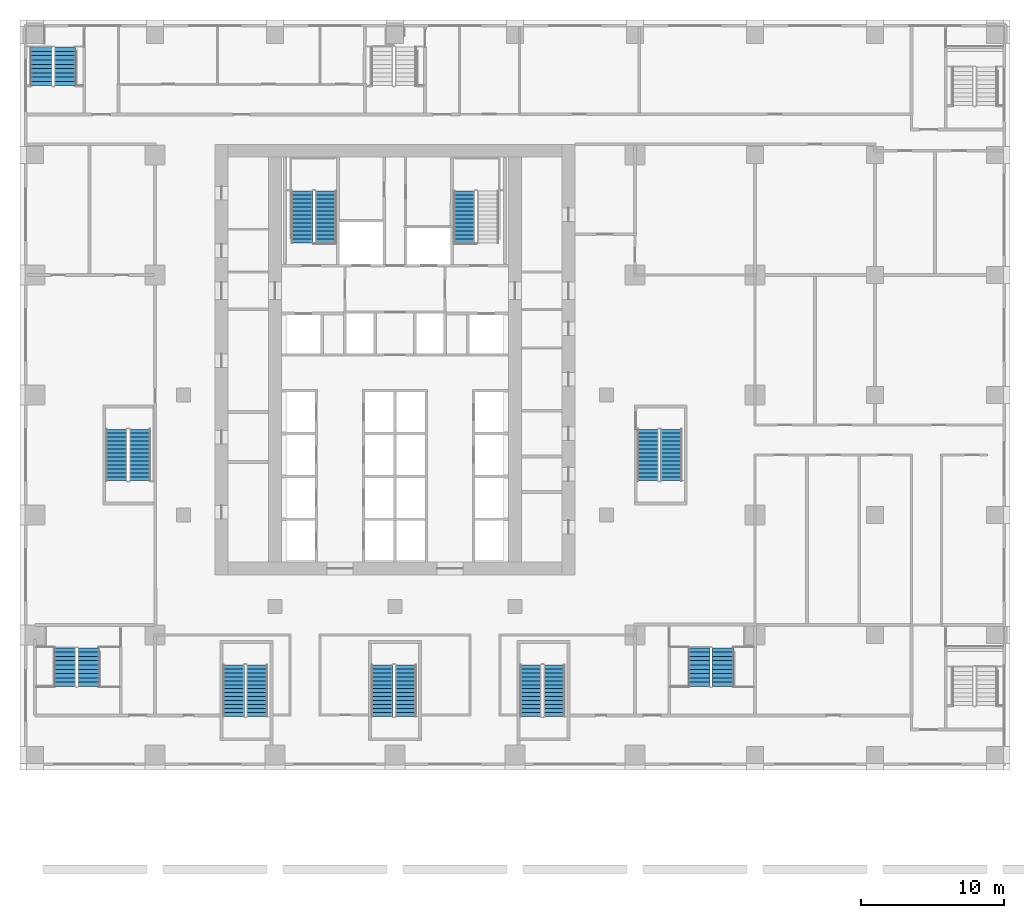
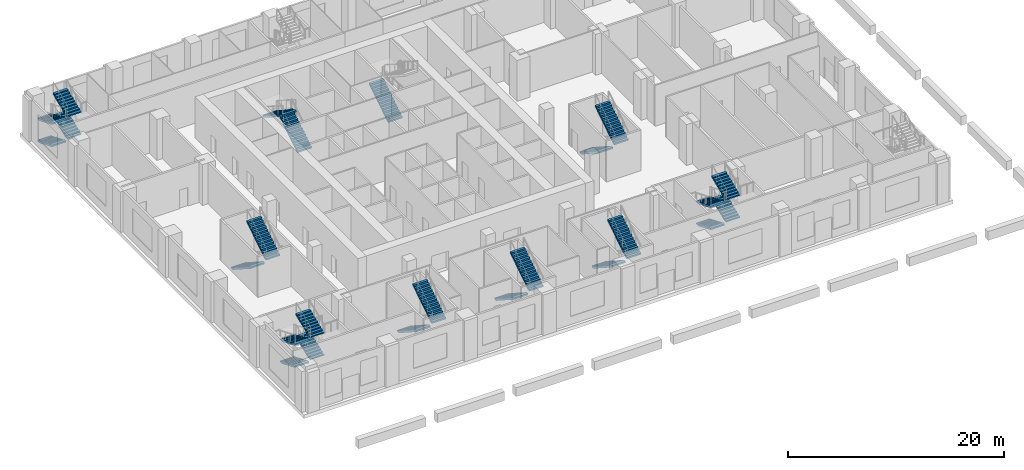
# One storey, part 11 of 21: 25 stair flights, 10 elements without a shape of their own.
"""IFC4 building model written with IfcOpenShell, lengths in metres."""

from ifc_helpers import new_model, si_unit, direction, frame, origin, place, context, subcontext, project, spatial, polyline, outline, extrude, material, type_object, element, aggregate, save


model = new_model("IFC4")

# Units and contexts
model_context = context("Model", 3, precision=1e-05, world=origin(), true_north=direction((0.0, 1.0)))
body_context = subcontext(model_context, "Body", "Model", "MODEL_VIEW")
ifc_project = project(units=[si_unit("LENGTHUNIT", "METRE"), si_unit("AREAUNIT", "SQUARE_METRE"), si_unit("VOLUMEUNIT", "CUBIC_METRE"), si_unit("PLANEANGLEUNIT", "RADIAN"), si_unit("MASSUNIT", "GRAM", prefix="KILO")], contexts=[model_context])

# Site, building, storey
site_placement = place(None, origin())
site = spatial("IfcSite", under=ifc_project, at=site_placement, CompositionType="ELEMENT")
building_placement = place(site_placement, origin())
building = spatial("IfcBuilding", under=site, at=building_placement, Name="Vermilion Ogive Tower", CompositionType="ELEMENT")
storey_placement = place(building_placement, frame((0.0, 0.0, 25.0)))
storey = spatial("IfcBuildingStorey", under=building, at=storey_placement, Name="L04", CompositionType="ELEMENT", Elevation=25.0)

# Stair, stair flights
ifc_material_1 = material(Name="Concrete B40", Category="concrete")
stair_type = type_object("IfcStairType", Name="Exit stair 1500", PredefinedType="HALF_TURN_STAIR", material=ifc_material_1)
stair_1_placement = place(storey_placement, origin())
stair_1 = element("IfcStair", 1, at=stair_1_placement, inside=storey, type_object=stair_type, Name="L04 Exit Stair ST1", PredefinedType="HALF_TURN_STAIR")
ifc_material_2 = material(Name="Concrete B40", Category="concrete")
stair_flight_type = type_object("IfcStairFlightType", Name="Stair flight 1500", PredefinedType="STRAIGHT", material=ifc_material_2)
stair_flight_1_placement = place(storey_placement, frame((-4.85009765625, 14.85009765625, 0.0), z_axis=(0.0, 0.0, 1.0), x_axis=(0.0, 1.0, 0.0)))
stair_flight_1 = element("IfcStairFlight", 2, at=stair_flight_1_placement, type_object=stair_flight_type, Name="ST1 flight 1", NumberOfRisers=14, NumberOfTreads=13, PredefinedType="STRAIGHT", RiserHeight=0.178571429, TreadLength=0.28, context=body_context, shape_type="SweptSolid", body=[
    extrude(outline(polyline([(0.0, 0.0), (0.0, 0.178466796875), (0.280029296875, 0.178466796875), (0.280029296875, 0.357177734375), (0.56005859375, 0.357177734375), (0.56005859375, 0.53564453125), (0.840087890625, 0.53564453125), (0.840087890625, 0.71435546875), (1.1201171875, 0.71435546875), (1.1201171875, 0.892822265625), (1.39990234375, 0.892822265625), (1.39990234375, 1.071533203125), (1.679931640625, 1.071533203125), (1.679931640625, 1.25), (1.9599609375, 1.25), (1.9599609375, 1.428466796875), (2.239990234375, 1.428466796875), (2.239990234375, 1.607177734375), (2.52001953125, 1.607177734375), (2.52001953125, 1.78564453125), (2.800048828125, 1.78564453125), (2.800048828125, 1.96435546875), (3.080078125, 1.96435546875), (3.080078125, 2.142822265625), (3.360107421875, 2.142822265625), (3.360107421875, 2.321533203125), (3.639892578125, 2.321533203125), (3.639892578125, 2.5), (3.639892578125, 2.1435546875), (0.27880859375, 0.0), (0.0, 0.0)])), frame((0.0, 0.75, 0.0), z_axis=(0.0, -1.0, 0.0), x_axis=(1.0, 0.0, 0.0)), (0.0, 0.0, 1.0), 1.5),
])
stair_flight_2_placement = place(storey_placement, frame((-6.5, 18.489990234375, 2.5), z_axis=(0.0, 0.0, 1.0), x_axis=(0.0, -1.0, 0.0)))
stair_flight_2 = element("IfcStairFlight", 3, at=stair_flight_2_placement, type_object=stair_flight_type, Name="ST1 flight 2", NumberOfRisers=14, NumberOfTreads=13, PredefinedType="STRAIGHT", RiserHeight=0.178571429, TreadLength=0.28, context=body_context, shape_type="SweptSolid", body=[
    extrude(outline(polyline([(0.0, 0.0), (0.0, 0.178466796875), (0.280029296875, 0.178466796875), (0.280029296875, 0.357177734375), (0.56005859375, 0.357177734375), (0.56005859375, 0.53564453125), (0.840087890625, 0.53564453125), (0.840087890625, 0.71435546875), (1.1201171875, 0.71435546875), (1.1201171875, 0.892822265625), (1.39990234375, 0.892822265625), (1.39990234375, 1.071533203125), (1.679931640625, 1.071533203125), (1.679931640625, 1.25), (1.9599609375, 1.25), (1.9599609375, 1.428466796875), (2.239990234375, 1.428466796875), (2.239990234375, 1.607177734375), (2.52001953125, 1.607177734375), (2.52001953125, 1.78564453125), (2.800048828125, 1.78564453125), (2.800048828125, 1.96435546875), (3.080078125, 1.96435546875), (3.080078125, 2.142822265625), (3.360107421875, 2.142822265625), (3.360107421875, 2.321533203125), (3.639892578125, 2.321533203125), (3.639892578125, 2.5), (3.639892578125, 2.1435546875), (0.27880859375, 0.0), (0.0, 0.0)])), frame((0.0, 0.75, 0.0), z_axis=(0.0, -1.0, 0.0), x_axis=(1.0, 0.0, 0.0)), (0.0, 0.0, 1.0), 1.5),
])
aggregate(stair_1, [stair_flight_1, stair_flight_2])

# Stair, stair flight
stair_2_placement = place(storey_placement, origin())
stair_2 = element("IfcStair", 4, at=stair_2_placement, inside=storey, type_object=stair_type, Name="L04 Exit Stair ST2", PredefinedType="HALF_TURN_STAIR")
stair_flight_3_placement = place(storey_placement, frame((4.85009765625, 14.85009765625, 0.0), z_axis=(0.0, 0.0, 1.0), x_axis=(0.0, 1.0, 0.0)))
stair_flight_3 = element("IfcStairFlight", 5, at=stair_flight_3_placement, type_object=stair_flight_type, Name="ST2 flight 1", NumberOfRisers=14, NumberOfTreads=13, PredefinedType="STRAIGHT", RiserHeight=0.178571429, TreadLength=0.28, context=body_context, shape_type="SweptSolid", body=[
    extrude(outline(polyline([(0.0, 0.0), (0.0, 0.178466796875), (0.280029296875, 0.178466796875), (0.280029296875, 0.357177734375), (0.56005859375, 0.357177734375), (0.56005859375, 0.53564453125), (0.840087890625, 0.53564453125), (0.840087890625, 0.71435546875), (1.1201171875, 0.71435546875), (1.1201171875, 0.892822265625), (1.39990234375, 0.892822265625), (1.39990234375, 1.071533203125), (1.679931640625, 1.071533203125), (1.679931640625, 1.25), (1.9599609375, 1.25), (1.9599609375, 1.428466796875), (2.239990234375, 1.428466796875), (2.239990234375, 1.607177734375), (2.52001953125, 1.607177734375), (2.52001953125, 1.78564453125), (2.800048828125, 1.78564453125), (2.800048828125, 1.96435546875), (3.080078125, 1.96435546875), (3.080078125, 2.142822265625), (3.360107421875, 2.142822265625), (3.360107421875, 2.321533203125), (3.639892578125, 2.321533203125), (3.639892578125, 2.5), (3.639892578125, 2.1435546875), (0.27880859375, 0.0), (0.0, 0.0)])), frame((0.0, 0.75, 0.0), z_axis=(0.0, -1.0, 0.0), x_axis=(1.0, 0.0, 0.0)), (0.0, 0.0, 1.0), 1.5),
])
aggregate(stair_2, [stair_flight_3])

# Stair, stair flights
stair_3_placement = place(storey_placement, origin())
stair_3 = element("IfcStair", 6, at=stair_3_placement, inside=storey, type_object=stair_type, Name="L04 Exit Stair ST3", PredefinedType="HALF_TURN_STAIR")
stair_flight_4_placement = place(storey_placement, frame((-11.300048828125, -14.699951171875, 0.0), z_axis=(0.0, 0.0, 1.0), x_axis=(0.0, -1.0, 0.0)))
stair_flight_4 = element("IfcStairFlight", 7, at=stair_flight_4_placement, type_object=stair_flight_type, Name="ST3 flight 1", NumberOfRisers=14, NumberOfTreads=13, PredefinedType="STRAIGHT", RiserHeight=0.178571429, TreadLength=0.276923077, context=body_context, shape_type="SweptSolid", body=[
    extrude(outline(polyline([(0.0, 0.0), (0.0, 0.178466796875), (0.27685546875, 0.178466796875), (0.27685546875, 0.357177734375), (0.553955078125, 0.357177734375), (0.553955078125, 0.53564453125), (0.830810546875, 0.53564453125), (0.830810546875, 0.71435546875), (1.107666015625, 0.71435546875), (1.107666015625, 0.892822265625), (1.384521484375, 0.892822265625), (1.384521484375, 1.071533203125), (1.66162109375, 1.071533203125), (1.66162109375, 1.25), (1.9384765625, 1.25), (1.9384765625, 1.428466796875), (2.21533203125, 1.428466796875), (2.21533203125, 1.607177734375), (2.4921875, 1.607177734375), (2.4921875, 1.78564453125), (2.769287109375, 1.78564453125), (2.769287109375, 1.96435546875), (3.046142578125, 1.96435546875), (3.046142578125, 2.142822265625), (3.322998046875, 2.142822265625), (3.322998046875, 2.321533203125), (3.60009765625, 2.321533203125), (3.60009765625, 2.5), (3.60009765625, 2.14306640625), (0.276611328125, 0.0), (0.0, 0.0)])), frame((0.0, 0.75, 0.0), z_axis=(0.0, -1.0, 0.0), x_axis=(1.0, 0.0, 0.0)), (0.0, 0.0, 1.0), 1.5),
])
stair_flight_5_placement = place(storey_placement, frame((-9.64990234375, -18.300048828125, 2.5), z_axis=(0.0, 0.0, 1.0), x_axis=(0.0, 1.0, 0.0)))
stair_flight_5 = element("IfcStairFlight", 8, at=stair_flight_5_placement, type_object=stair_flight_type, Name="ST3 flight 2", NumberOfRisers=14, NumberOfTreads=13, PredefinedType="STRAIGHT", RiserHeight=0.178571429, TreadLength=0.276923077, context=body_context, shape_type="SweptSolid", body=[
    extrude(outline(polyline([(0.0, 0.0), (0.0, 0.178466796875), (0.27685546875, 0.178466796875), (0.27685546875, 0.357177734375), (0.553955078125, 0.357177734375), (0.553955078125, 0.53564453125), (0.830810546875, 0.53564453125), (0.830810546875, 0.71435546875), (1.107666015625, 0.71435546875), (1.107666015625, 0.892822265625), (1.384521484375, 0.892822265625), (1.384521484375, 1.071533203125), (1.66162109375, 1.071533203125), (1.66162109375, 1.25), (1.9384765625, 1.25), (1.9384765625, 1.428466796875), (2.21533203125, 1.428466796875), (2.21533203125, 1.607177734375), (2.4921875, 1.607177734375), (2.4921875, 1.78564453125), (2.769287109375, 1.78564453125), (2.769287109375, 1.96435546875), (3.046142578125, 1.96435546875), (3.046142578125, 2.142822265625), (3.322998046875, 2.142822265625), (3.322998046875, 2.321533203125), (3.60009765625, 2.321533203125), (3.60009765625, 2.5), (3.60009765625, 2.14306640625), (0.276611328125, 0.0), (0.0, 0.0)])), frame((0.0, 0.75, 0.0), z_axis=(0.0, -1.0, 0.0), x_axis=(1.0, 0.0, 0.0)), (0.0, 0.0, 1.0), 1.5),
])
aggregate(stair_3, [stair_flight_4, stair_flight_5])

stair_4_placement = place(storey_placement, origin())
stair_4 = element("IfcStair", 9, at=stair_4_placement, inside=storey, type_object=stair_type, Name="L04 Exit Stair ST4", PredefinedType="HALF_TURN_STAIR")
stair_flight_6_placement = place(storey_placement, frame((-0.89990234375, -14.699951171875, 0.0), z_axis=(0.0, 0.0, 1.0), x_axis=(0.0, -1.0, 0.0)))
stair_flight_6 = element("IfcStairFlight", 10, at=stair_flight_6_placement, type_object=stair_flight_type, Name="ST4 flight 1", NumberOfRisers=14, NumberOfTreads=13, PredefinedType="STRAIGHT", RiserHeight=0.178571429, TreadLength=0.276923077, context=body_context, shape_type="SweptSolid", body=[
    extrude(outline(polyline([(0.0, 0.0), (0.0, 0.178466796875), (0.27685546875, 0.178466796875), (0.27685546875, 0.357177734375), (0.553955078125, 0.357177734375), (0.553955078125, 0.53564453125), (0.830810546875, 0.53564453125), (0.830810546875, 0.71435546875), (1.107666015625, 0.71435546875), (1.107666015625, 0.892822265625), (1.384521484375, 0.892822265625), (1.384521484375, 1.071533203125), (1.66162109375, 1.071533203125), (1.66162109375, 1.25), (1.9384765625, 1.25), (1.9384765625, 1.428466796875), (2.21533203125, 1.428466796875), (2.21533203125, 1.607177734375), (2.4921875, 1.607177734375), (2.4921875, 1.78564453125), (2.769287109375, 1.78564453125), (2.769287109375, 1.96435546875), (3.046142578125, 1.96435546875), (3.046142578125, 2.142822265625), (3.322998046875, 2.142822265625), (3.322998046875, 2.321533203125), (3.60009765625, 2.321533203125), (3.60009765625, 2.5), (3.60009765625, 2.14306640625), (0.276611328125, 0.0), (0.0, 0.0)])), frame((0.0, 0.75, 0.0), z_axis=(0.0, -1.0, 0.0), x_axis=(1.0, 0.0, 0.0)), (0.0, 0.0, 1.0), 1.5),
])
stair_flight_7_placement = place(storey_placement, frame((0.75, -18.300048828125, 2.5), z_axis=(0.0, 0.0, 1.0), x_axis=(0.0, 1.0, 0.0)))
stair_flight_7 = element("IfcStairFlight", 11, at=stair_flight_7_placement, type_object=stair_flight_type, Name="ST4 flight 2", NumberOfRisers=14, NumberOfTreads=13, PredefinedType="STRAIGHT", RiserHeight=0.178571429, TreadLength=0.276923077, context=body_context, shape_type="SweptSolid", body=[
    extrude(outline(polyline([(0.0, 0.0), (0.0, 0.178466796875), (0.27685546875, 0.178466796875), (0.27685546875, 0.357177734375), (0.553955078125, 0.357177734375), (0.553955078125, 0.53564453125), (0.830810546875, 0.53564453125), (0.830810546875, 0.71435546875), (1.107666015625, 0.71435546875), (1.107666015625, 0.892822265625), (1.384521484375, 0.892822265625), (1.384521484375, 1.071533203125), (1.66162109375, 1.071533203125), (1.66162109375, 1.25), (1.9384765625, 1.25), (1.9384765625, 1.428466796875), (2.21533203125, 1.428466796875), (2.21533203125, 1.607177734375), (2.4921875, 1.607177734375), (2.4921875, 1.78564453125), (2.769287109375, 1.78564453125), (2.769287109375, 1.96435546875), (3.046142578125, 1.96435546875), (3.046142578125, 2.142822265625), (3.322998046875, 2.142822265625), (3.322998046875, 2.321533203125), (3.60009765625, 2.321533203125), (3.60009765625, 2.5), (3.60009765625, 2.14306640625), (0.276611328125, 0.0), (0.0, 0.0)])), frame((0.0, 0.75, 0.0), z_axis=(0.0, -1.0, 0.0), x_axis=(1.0, 0.0, 0.0)), (0.0, 0.0, 1.0), 1.5),
])
aggregate(stair_4, [stair_flight_6, stair_flight_7])

stair_5_placement = place(storey_placement, origin())
stair_5 = element("IfcStair", 12, at=stair_5_placement, inside=storey, type_object=stair_type, Name="L04 Exit Stair ST5", PredefinedType="HALF_TURN_STAIR")
stair_flight_8_placement = place(storey_placement, frame((9.5, -14.699951171875, 0.0), z_axis=(0.0, 0.0, 1.0), x_axis=(0.0, -1.0, 0.0)))
stair_flight_8 = element("IfcStairFlight", 13, at=stair_flight_8_placement, type_object=stair_flight_type, Name="ST5 flight 1", NumberOfRisers=14, NumberOfTreads=13, PredefinedType="STRAIGHT", RiserHeight=0.178571429, TreadLength=0.276923077, context=body_context, shape_type="SweptSolid", body=[
    extrude(outline(polyline([(0.0, 0.0), (0.0, 0.178466796875), (0.27685546875, 0.178466796875), (0.27685546875, 0.357177734375), (0.553955078125, 0.357177734375), (0.553955078125, 0.53564453125), (0.830810546875, 0.53564453125), (0.830810546875, 0.71435546875), (1.107666015625, 0.71435546875), (1.107666015625, 0.892822265625), (1.384521484375, 0.892822265625), (1.384521484375, 1.071533203125), (1.66162109375, 1.071533203125), (1.66162109375, 1.25), (1.9384765625, 1.25), (1.9384765625, 1.428466796875), (2.21533203125, 1.428466796875), (2.21533203125, 1.607177734375), (2.4921875, 1.607177734375), (2.4921875, 1.78564453125), (2.769287109375, 1.78564453125), (2.769287109375, 1.96435546875), (3.046142578125, 1.96435546875), (3.046142578125, 2.142822265625), (3.322998046875, 2.142822265625), (3.322998046875, 2.321533203125), (3.60009765625, 2.321533203125), (3.60009765625, 2.5), (3.60009765625, 2.14306640625), (0.276611328125, 0.0), (0.0, 0.0)])), frame((0.0, 0.75, 0.0), z_axis=(0.0, -1.0, 0.0), x_axis=(1.0, 0.0, 0.0)), (0.0, 0.0, 1.0), 1.5),
])
stair_flight_9_placement = place(storey_placement, frame((11.14990234375, -18.300048828125, 2.5), z_axis=(0.0, 0.0, 1.0), x_axis=(0.0, 1.0, 0.0)))
stair_flight_9 = element("IfcStairFlight", 14, at=stair_flight_9_placement, type_object=stair_flight_type, Name="ST5 flight 2", NumberOfRisers=14, NumberOfTreads=13, PredefinedType="STRAIGHT", RiserHeight=0.178571429, TreadLength=0.276923077, context=body_context, shape_type="SweptSolid", body=[
    extrude(outline(polyline([(0.0, 0.0), (0.0, 0.178466796875), (0.27685546875, 0.178466796875), (0.27685546875, 0.357177734375), (0.553955078125, 0.357177734375), (0.553955078125, 0.53564453125), (0.830810546875, 0.53564453125), (0.830810546875, 0.71435546875), (1.107666015625, 0.71435546875), (1.107666015625, 0.892822265625), (1.384521484375, 0.892822265625), (1.384521484375, 1.071533203125), (1.66162109375, 1.071533203125), (1.66162109375, 1.25), (1.9384765625, 1.25), (1.9384765625, 1.428466796875), (2.21533203125, 1.428466796875), (2.21533203125, 1.607177734375), (2.4921875, 1.607177734375), (2.4921875, 1.78564453125), (2.769287109375, 1.78564453125), (2.769287109375, 1.96435546875), (3.046142578125, 1.96435546875), (3.046142578125, 2.142822265625), (3.322998046875, 2.142822265625), (3.322998046875, 2.321533203125), (3.60009765625, 2.321533203125), (3.60009765625, 2.5), (3.60009765625, 2.14306640625), (0.276611328125, 0.0), (0.0, 0.0)])), frame((0.0, 0.75, 0.0), z_axis=(0.0, -1.0, 0.0), x_axis=(1.0, 0.0, 0.0)), (0.0, 0.0, 1.0), 1.5),
])
aggregate(stair_5, [stair_flight_8, stair_flight_9])

stair_6_placement = place(storey_placement, origin())
stair_6 = element("IfcStair", 15, at=stair_6_placement, inside=storey, type_object=stair_type, Name="L04 Exit Stair ST8", PredefinedType="HALF_TURN_STAIR")
stair_flight_10_placement = place(storey_placement, frame((17.699951171875, 1.800048828125, 0.0), z_axis=(0.0, 0.0, 1.0), x_axis=(0.0, -1.0, 0.0)))
stair_flight_10 = element("IfcStairFlight", 16, at=stair_flight_10_placement, type_object=stair_flight_type, Name="ST8 flight 1", NumberOfRisers=14, NumberOfTreads=13, PredefinedType="STRAIGHT", RiserHeight=0.178571429, TreadLength=0.276923077, context=body_context, shape_type="SweptSolid", body=[
    extrude(outline(polyline([(0.0, 0.0), (0.0, 0.178466796875), (0.27685546875, 0.178466796875), (0.27685546875, 0.357177734375), (0.553955078125, 0.357177734375), (0.553955078125, 0.53564453125), (0.830810546875, 0.53564453125), (0.830810546875, 0.71435546875), (1.107666015625, 0.71435546875), (1.107666015625, 0.892822265625), (1.384521484375, 0.892822265625), (1.384521484375, 1.071533203125), (1.66162109375, 1.071533203125), (1.66162109375, 1.25), (1.9384765625, 1.25), (1.9384765625, 1.428466796875), (2.21533203125, 1.428466796875), (2.21533203125, 1.607177734375), (2.4921875, 1.607177734375), (2.4921875, 1.78564453125), (2.769287109375, 1.78564453125), (2.769287109375, 1.96435546875), (3.046142578125, 1.96435546875), (3.046142578125, 2.142822265625), (3.322998046875, 2.142822265625), (3.322998046875, 2.321533203125), (3.60009765625, 2.321533203125), (3.60009765625, 2.5), (3.60009765625, 2.14306640625), (0.276611328125, 0.0), (0.0, 0.0)])), frame((0.0, 0.75, 0.0), z_axis=(0.0, -1.0, 0.0), x_axis=(1.0, 0.0, 0.0)), (0.0, 0.0, 1.0), 1.5),
])
stair_flight_11_placement = place(storey_placement, frame((19.35009765625, -1.800048828125, 2.5), z_axis=(0.0, 0.0, 1.0), x_axis=(0.0, 1.0, 0.0)))
stair_flight_11 = element("IfcStairFlight", 17, at=stair_flight_11_placement, type_object=stair_flight_type, Name="ST8 flight 2", NumberOfRisers=14, NumberOfTreads=13, PredefinedType="STRAIGHT", RiserHeight=0.178571429, TreadLength=0.276923077, context=body_context, shape_type="SweptSolid", body=[
    extrude(outline(polyline([(0.0, 0.0), (0.0, 0.178466796875), (0.27685546875, 0.178466796875), (0.27685546875, 0.357177734375), (0.553955078125, 0.357177734375), (0.553955078125, 0.53564453125), (0.830810546875, 0.53564453125), (0.830810546875, 0.71435546875), (1.107666015625, 0.71435546875), (1.107666015625, 0.892822265625), (1.384521484375, 0.892822265625), (1.384521484375, 1.071533203125), (1.66162109375, 1.071533203125), (1.66162109375, 1.25), (1.9384765625, 1.25), (1.9384765625, 1.428466796875), (2.21533203125, 1.428466796875), (2.21533203125, 1.607177734375), (2.4921875, 1.607177734375), (2.4921875, 1.78564453125), (2.769287109375, 1.78564453125), (2.769287109375, 1.96435546875), (3.046142578125, 1.96435546875), (3.046142578125, 2.142822265625), (3.322998046875, 2.142822265625), (3.322998046875, 2.321533203125), (3.60009765625, 2.321533203125), (3.60009765625, 2.5), (3.60009765625, 2.14306640625), (0.276611328125, 0.0), (0.0, 0.0)])), frame((0.0, 0.75, 0.0), z_axis=(0.0, -1.0, 0.0), x_axis=(1.0, 0.0, 0.0)), (0.0, 0.0, 1.0), 1.5),
])
aggregate(stair_6, [stair_flight_10, stair_flight_11])

stair_7_placement = place(storey_placement, origin())
stair_7 = element("IfcStair", 18, at=stair_7_placement, inside=storey, type_object=stair_type, Name="L04 Exit Stair ST9", PredefinedType="HALF_TURN_STAIR")
stair_flight_12_placement = place(storey_placement, frame((-19.5, 1.800048828125, 0.0), z_axis=(0.0, 0.0, 1.0), x_axis=(0.0, -1.0, 0.0)))
stair_flight_12 = element("IfcStairFlight", 19, at=stair_flight_12_placement, type_object=stair_flight_type, Name="ST9 flight 1", NumberOfRisers=14, NumberOfTreads=13, PredefinedType="STRAIGHT", RiserHeight=0.178571429, TreadLength=0.276923077, context=body_context, shape_type="SweptSolid", body=[
    extrude(outline(polyline([(0.0, 0.0), (0.0, 0.178466796875), (0.27685546875, 0.178466796875), (0.27685546875, 0.357177734375), (0.553955078125, 0.357177734375), (0.553955078125, 0.53564453125), (0.830810546875, 0.53564453125), (0.830810546875, 0.71435546875), (1.107666015625, 0.71435546875), (1.107666015625, 0.892822265625), (1.384521484375, 0.892822265625), (1.384521484375, 1.071533203125), (1.66162109375, 1.071533203125), (1.66162109375, 1.25), (1.9384765625, 1.25), (1.9384765625, 1.428466796875), (2.21533203125, 1.428466796875), (2.21533203125, 1.607177734375), (2.4921875, 1.607177734375), (2.4921875, 1.78564453125), (2.769287109375, 1.78564453125), (2.769287109375, 1.96435546875), (3.046142578125, 1.96435546875), (3.046142578125, 2.142822265625), (3.322998046875, 2.142822265625), (3.322998046875, 2.321533203125), (3.60009765625, 2.321533203125), (3.60009765625, 2.5), (3.60009765625, 2.14306640625), (0.276611328125, 0.0), (0.0, 0.0)])), frame((0.0, 0.75, 0.0), z_axis=(0.0, -1.0, 0.0), x_axis=(1.0, 0.0, 0.0)), (0.0, 0.0, 1.0), 1.5),
])
stair_flight_13_placement = place(storey_placement, frame((-17.85009765625, -1.800048828125, 2.5), z_axis=(0.0, 0.0, 1.0), x_axis=(0.0, 1.0, 0.0)))
stair_flight_13 = element("IfcStairFlight", 20, at=stair_flight_13_placement, type_object=stair_flight_type, Name="ST9 flight 2", NumberOfRisers=14, NumberOfTreads=13, PredefinedType="STRAIGHT", RiserHeight=0.178571429, TreadLength=0.276923077, context=body_context, shape_type="SweptSolid", body=[
    extrude(outline(polyline([(0.0, 0.0), (0.0, 0.178466796875), (0.27685546875, 0.178466796875), (0.27685546875, 0.357177734375), (0.553955078125, 0.357177734375), (0.553955078125, 0.53564453125), (0.830810546875, 0.53564453125), (0.830810546875, 0.71435546875), (1.107666015625, 0.71435546875), (1.107666015625, 0.892822265625), (1.384521484375, 0.892822265625), (1.384521484375, 1.071533203125), (1.66162109375, 1.071533203125), (1.66162109375, 1.25), (1.9384765625, 1.25), (1.9384765625, 1.428466796875), (2.21533203125, 1.428466796875), (2.21533203125, 1.607177734375), (2.4921875, 1.607177734375), (2.4921875, 1.78564453125), (2.769287109375, 1.78564453125), (2.769287109375, 1.96435546875), (3.046142578125, 1.96435546875), (3.046142578125, 2.142822265625), (3.322998046875, 2.142822265625), (3.322998046875, 2.321533203125), (3.60009765625, 2.321533203125), (3.60009765625, 2.5), (3.60009765625, 2.14306640625), (0.276611328125, 0.0), (0.0, 0.0)])), frame((0.0, 0.75, 0.0), z_axis=(0.0, -1.0, 0.0), x_axis=(1.0, 0.0, 0.0)), (0.0, 0.0, 1.0), 1.5),
])
aggregate(stair_7, [stair_flight_12, stair_flight_13])

stair_8_placement = place(storey_placement, origin())
stair_8 = element("IfcStair", 21, at=stair_8_placement, inside=storey, type_object=stair_type, Name="L04 Exit Stair PS1", PredefinedType="HALF_TURN_STAIR")
stair_flight_14_placement = place(storey_placement, frame((-24.75, 28.550048828125, 0.0), z_axis=(0.0, 0.0, 1.0), x_axis=(0.0, -1.0, 0.0)))
stair_flight_14 = element("IfcStairFlight", 22, at=stair_flight_14_placement, type_object=stair_flight_type, Name="PS1 flight 1", NumberOfRisers=10, NumberOfTreads=9, PredefinedType="STRAIGHT", RiserHeight=0.125, TreadLength=0.3, context=body_context, shape_type="SweptSolid", body=[
    extrude(outline(polyline([(0.0, 0.0), (0.0, 0.125), (0.300048828125, 0.125), (0.300048828125, 0.25), (0.60009765625, 0.25), (0.60009765625, 0.375), (0.89990234375, 0.375), (0.89990234375, 0.5), (1.199951171875, 0.5), (1.199951171875, 0.625), (1.5, 0.625), (1.5, 0.75), (1.800048828125, 0.75), (1.800048828125, 0.875), (2.10009765625, 0.875), (2.10009765625, 1.0), (2.39990234375, 1.0), (2.39990234375, 1.125), (2.699951171875, 1.125), (2.699951171875, 1.25), (2.699951171875, 0.962646484375), (0.3896484375, 0.0), (0.0, 0.0)])), frame((0.0, 0.75, 0.0), z_axis=(0.0, -1.0, 0.0), x_axis=(1.0, 0.0, 0.0)), (0.0, 0.0, 1.0), 1.5),
])
stair_flight_15_placement = place(storey_placement, frame((-23.10009765625, 25.85009765625, 1.25), z_axis=(0.0, 0.0, 1.0), x_axis=(0.0, 1.0, 0.0)))
stair_flight_15 = element("IfcStairFlight", 23, at=stair_flight_15_placement, type_object=stair_flight_type, Name="PS1 flight 2", NumberOfRisers=10, NumberOfTreads=9, PredefinedType="STRAIGHT", RiserHeight=0.125, TreadLength=0.3, context=body_context, shape_type="SweptSolid", body=[
    extrude(outline(polyline([(0.0, 0.0), (0.0, 0.125), (0.300048828125, 0.125), (0.300048828125, 0.25), (0.60009765625, 0.25), (0.60009765625, 0.375), (0.89990234375, 0.375), (0.89990234375, 0.5), (1.199951171875, 0.5), (1.199951171875, 0.625), (1.5, 0.625), (1.5, 0.75), (1.800048828125, 0.75), (1.800048828125, 0.875), (2.10009765625, 0.875), (2.10009765625, 1.0), (2.39990234375, 1.0), (2.39990234375, 1.125), (2.699951171875, 1.125), (2.699951171875, 1.25), (2.699951171875, 0.962646484375), (0.3896484375, 0.0), (0.0, 0.0)])), frame((0.0, 0.75, 0.0), z_axis=(0.0, -1.0, 0.0), x_axis=(1.0, 0.0, 0.0)), (0.0, 0.0, 1.0), 1.5),
])
stair_flight_16_placement = place(storey_placement, frame((-24.75, 28.550048828125, 2.5), z_axis=(0.0, 0.0, 1.0), x_axis=(0.0, -1.0, 0.0)))
stair_flight_16 = element("IfcStairFlight", 24, at=stair_flight_16_placement, type_object=stair_flight_type, Name="PS1 flight 3", NumberOfRisers=10, NumberOfTreads=9, PredefinedType="STRAIGHT", RiserHeight=0.125, TreadLength=0.3, context=body_context, shape_type="SweptSolid", body=[
    extrude(outline(polyline([(0.0, 0.0), (0.0, 0.125), (0.300048828125, 0.125), (0.300048828125, 0.25), (0.60009765625, 0.25), (0.60009765625, 0.375), (0.89990234375, 0.375), (0.89990234375, 0.5), (1.199951171875, 0.5), (1.199951171875, 0.625), (1.5, 0.625), (1.5, 0.75), (1.800048828125, 0.75), (1.800048828125, 0.875), (2.10009765625, 0.875), (2.10009765625, 1.0), (2.39990234375, 1.0), (2.39990234375, 1.125), (2.699951171875, 1.125), (2.699951171875, 1.25), (2.699951171875, 0.962646484375), (0.3896484375, 0.0), (0.0, 0.0)])), frame((0.0, 0.75, 0.0), z_axis=(0.0, -1.0, 0.0), x_axis=(1.0, 0.0, 0.0)), (0.0, 0.0, 1.0), 1.5),
])
stair_flight_17_placement = place(storey_placement, frame((-23.10009765625, 25.85009765625, 3.75), z_axis=(0.0, 0.0, 1.0), x_axis=(0.0, 1.0, 0.0)))
stair_flight_17 = element("IfcStairFlight", 25, at=stair_flight_17_placement, type_object=stair_flight_type, Name="PS1 flight 4", NumberOfRisers=10, NumberOfTreads=9, PredefinedType="STRAIGHT", RiserHeight=0.125, TreadLength=0.3, context=body_context, shape_type="SweptSolid", body=[
    extrude(outline(polyline([(0.0, 0.0), (0.0, 0.125), (0.300048828125, 0.125), (0.300048828125, 0.25), (0.60009765625, 0.25), (0.60009765625, 0.375), (0.89990234375, 0.375), (0.89990234375, 0.5), (1.199951171875, 0.5), (1.199951171875, 0.625), (1.5, 0.625), (1.5, 0.75), (1.800048828125, 0.75), (1.800048828125, 0.875), (2.10009765625, 0.875), (2.10009765625, 1.0), (2.39990234375, 1.0), (2.39990234375, 1.125), (2.699951171875, 1.125), (2.699951171875, 1.25), (2.699951171875, 0.962646484375), (0.3896484375, 0.0), (0.0, 0.0)])), frame((0.0, 0.75, 0.0), z_axis=(0.0, -1.0, 0.0), x_axis=(1.0, 0.0, 0.0)), (0.0, 0.0, 1.0), 1.5),
])
aggregate(stair_8, [stair_flight_14, stair_flight_15, stair_flight_16, stair_flight_17])

stair_9_placement = place(storey_placement, origin())
stair_9 = element("IfcStair", 26, at=stair_9_placement, inside=storey, type_object=stair_type, Name="L04 Exit Stair PS3", PredefinedType="HALF_TURN_STAIR")
stair_flight_18_placement = place(storey_placement, frame((21.300048828125, -13.5, 0.0), z_axis=(0.0, 0.0, 1.0), x_axis=(0.0, -1.0, 0.0)))
stair_flight_18 = element("IfcStairFlight", 27, at=stair_flight_18_placement, type_object=stair_flight_type, Name="PS3 flight 1", NumberOfRisers=10, NumberOfTreads=9, PredefinedType="STRAIGHT", RiserHeight=0.125, TreadLength=0.3, context=body_context, shape_type="SweptSolid", body=[
    extrude(outline(polyline([(0.0, 0.0), (0.0, 0.125), (0.300048828125, 0.125), (0.300048828125, 0.25), (0.60009765625, 0.25), (0.60009765625, 0.375), (0.89990234375, 0.375), (0.89990234375, 0.5), (1.199951171875, 0.5), (1.199951171875, 0.625), (1.5, 0.625), (1.5, 0.75), (1.800048828125, 0.75), (1.800048828125, 0.875), (2.10009765625, 0.875), (2.10009765625, 1.0), (2.39990234375, 1.0), (2.39990234375, 1.125), (2.699951171875, 1.125), (2.699951171875, 1.25), (2.699951171875, 0.962646484375), (0.3896484375, 0.0), (0.0, 0.0)])), frame((0.0, 0.75, 0.0), z_axis=(0.0, -1.0, 0.0), x_axis=(1.0, 0.0, 0.0)), (0.0, 0.0, 1.0), 1.5),
])
stair_flight_19_placement = place(storey_placement, frame((22.949951171875, -16.199951171875, 1.25), z_axis=(0.0, 0.0, 1.0), x_axis=(0.0, 1.0, 0.0)))
stair_flight_19 = element("IfcStairFlight", 28, at=stair_flight_19_placement, type_object=stair_flight_type, Name="PS3 flight 2", NumberOfRisers=10, NumberOfTreads=9, PredefinedType="STRAIGHT", RiserHeight=0.125, TreadLength=0.3, context=body_context, shape_type="SweptSolid", body=[
    extrude(outline(polyline([(0.0, 0.0), (0.0, 0.125), (0.300048828125, 0.125), (0.300048828125, 0.25), (0.60009765625, 0.25), (0.60009765625, 0.375), (0.89990234375, 0.375), (0.89990234375, 0.5), (1.199951171875, 0.5), (1.199951171875, 0.625), (1.5, 0.625), (1.5, 0.75), (1.800048828125, 0.75), (1.800048828125, 0.875), (2.10009765625, 0.875), (2.10009765625, 1.0), (2.39990234375, 1.0), (2.39990234375, 1.125), (2.699951171875, 1.125), (2.699951171875, 1.25), (2.699951171875, 0.962646484375), (0.3896484375, 0.0), (0.0, 0.0)])), frame((0.0, 0.75, 0.0), z_axis=(0.0, -1.0, 0.0), x_axis=(1.0, 0.0, 0.0)), (0.0, 0.0, 1.0), 1.5),
])
stair_flight_20_placement = place(storey_placement, frame((21.300048828125, -13.5, 2.5), z_axis=(0.0, 0.0, 1.0), x_axis=(0.0, -1.0, 0.0)))
stair_flight_20 = element("IfcStairFlight", 29, at=stair_flight_20_placement, type_object=stair_flight_type, Name="PS3 flight 3", NumberOfRisers=10, NumberOfTreads=9, PredefinedType="STRAIGHT", RiserHeight=0.125, TreadLength=0.3, context=body_context, shape_type="SweptSolid", body=[
    extrude(outline(polyline([(0.0, 0.0), (0.0, 0.125), (0.300048828125, 0.125), (0.300048828125, 0.25), (0.60009765625, 0.25), (0.60009765625, 0.375), (0.89990234375, 0.375), (0.89990234375, 0.5), (1.199951171875, 0.5), (1.199951171875, 0.625), (1.5, 0.625), (1.5, 0.75), (1.800048828125, 0.75), (1.800048828125, 0.875), (2.10009765625, 0.875), (2.10009765625, 1.0), (2.39990234375, 1.0), (2.39990234375, 1.125), (2.699951171875, 1.125), (2.699951171875, 1.25), (2.699951171875, 0.962646484375), (0.3896484375, 0.0), (0.0, 0.0)])), frame((0.0, 0.75, 0.0), z_axis=(0.0, -1.0, 0.0), x_axis=(1.0, 0.0, 0.0)), (0.0, 0.0, 1.0), 1.5),
])
stair_flight_21_placement = place(storey_placement, frame((22.949951171875, -16.199951171875, 3.75), z_axis=(0.0, 0.0, 1.0), x_axis=(0.0, 1.0, 0.0)))
stair_flight_21 = element("IfcStairFlight", 30, at=stair_flight_21_placement, type_object=stair_flight_type, Name="PS3 flight 4", NumberOfRisers=10, NumberOfTreads=9, PredefinedType="STRAIGHT", RiserHeight=0.125, TreadLength=0.3, context=body_context, shape_type="SweptSolid", body=[
    extrude(outline(polyline([(0.0, 0.0), (0.0, 0.125), (0.300048828125, 0.125), (0.300048828125, 0.25), (0.60009765625, 0.25), (0.60009765625, 0.375), (0.89990234375, 0.375), (0.89990234375, 0.5), (1.199951171875, 0.5), (1.199951171875, 0.625), (1.5, 0.625), (1.5, 0.75), (1.800048828125, 0.75), (1.800048828125, 0.875), (2.10009765625, 0.875), (2.10009765625, 1.0), (2.39990234375, 1.0), (2.39990234375, 1.125), (2.699951171875, 1.125), (2.699951171875, 1.25), (2.699951171875, 0.962646484375), (0.3896484375, 0.0), (0.0, 0.0)])), frame((0.0, 0.75, 0.0), z_axis=(0.0, -1.0, 0.0), x_axis=(1.0, 0.0, 0.0)), (0.0, 0.0, 1.0), 1.5),
])
aggregate(stair_9, [stair_flight_18, stair_flight_19, stair_flight_20, stair_flight_21])

stair_10_placement = place(storey_placement, origin())
stair_10 = element("IfcStair", 31, at=stair_10_placement, inside=storey, type_object=stair_type, Name="L04 Exit Stair PS4", PredefinedType="HALF_TURN_STAIR")
stair_flight_22_placement = place(storey_placement, frame((-23.10009765625, -13.5, 0.0), z_axis=(0.0, 0.0, 1.0), x_axis=(0.0, -1.0, 0.0)))
stair_flight_22 = element("IfcStairFlight", 32, at=stair_flight_22_placement, type_object=stair_flight_type, Name="PS4 flight 1", NumberOfRisers=10, NumberOfTreads=9, PredefinedType="STRAIGHT", RiserHeight=0.125, TreadLength=0.3, context=body_context, shape_type="SweptSolid", body=[
    extrude(outline(polyline([(0.0, 0.0), (0.0, 0.125), (0.300048828125, 0.125), (0.300048828125, 0.25), (0.60009765625, 0.25), (0.60009765625, 0.375), (0.89990234375, 0.375), (0.89990234375, 0.5), (1.199951171875, 0.5), (1.199951171875, 0.625), (1.5, 0.625), (1.5, 0.75), (1.800048828125, 0.75), (1.800048828125, 0.875), (2.10009765625, 0.875), (2.10009765625, 1.0), (2.39990234375, 1.0), (2.39990234375, 1.125), (2.699951171875, 1.125), (2.699951171875, 1.25), (2.699951171875, 0.962646484375), (0.3896484375, 0.0), (0.0, 0.0)])), frame((0.0, 0.75, 0.0), z_axis=(0.0, -1.0, 0.0), x_axis=(1.0, 0.0, 0.0)), (0.0, 0.0, 1.0), 1.5),
])
stair_flight_23_placement = place(storey_placement, frame((-21.449951171875, -16.199951171875, 1.25), z_axis=(0.0, 0.0, 1.0), x_axis=(0.0, 1.0, 0.0)))
stair_flight_23 = element("IfcStairFlight", 33, at=stair_flight_23_placement, type_object=stair_flight_type, Name="PS4 flight 2", NumberOfRisers=10, NumberOfTreads=9, PredefinedType="STRAIGHT", RiserHeight=0.125, TreadLength=0.3, context=body_context, shape_type="SweptSolid", body=[
    extrude(outline(polyline([(0.0, 0.0), (0.0, 0.125), (0.300048828125, 0.125), (0.300048828125, 0.25), (0.60009765625, 0.25), (0.60009765625, 0.375), (0.89990234375, 0.375), (0.89990234375, 0.5), (1.199951171875, 0.5), (1.199951171875, 0.625), (1.5, 0.625), (1.5, 0.75), (1.800048828125, 0.75), (1.800048828125, 0.875), (2.10009765625, 0.875), (2.10009765625, 1.0), (2.39990234375, 1.0), (2.39990234375, 1.125), (2.699951171875, 1.125), (2.699951171875, 1.25), (2.699951171875, 0.962646484375), (0.3896484375, 0.0), (0.0, 0.0)])), frame((0.0, 0.75, 0.0), z_axis=(0.0, -1.0, 0.0), x_axis=(1.0, 0.0, 0.0)), (0.0, 0.0, 1.0), 1.5),
])
stair_flight_24_placement = place(storey_placement, frame((-23.10009765625, -13.5, 2.5), z_axis=(0.0, 0.0, 1.0), x_axis=(0.0, -1.0, 0.0)))
stair_flight_24 = element("IfcStairFlight", 34, at=stair_flight_24_placement, type_object=stair_flight_type, Name="PS4 flight 3", NumberOfRisers=10, NumberOfTreads=9, PredefinedType="STRAIGHT", RiserHeight=0.125, TreadLength=0.3, context=body_context, shape_type="SweptSolid", body=[
    extrude(outline(polyline([(0.0, 0.0), (0.0, 0.125), (0.300048828125, 0.125), (0.300048828125, 0.25), (0.60009765625, 0.25), (0.60009765625, 0.375), (0.89990234375, 0.375), (0.89990234375, 0.5), (1.199951171875, 0.5), (1.199951171875, 0.625), (1.5, 0.625), (1.5, 0.75), (1.800048828125, 0.75), (1.800048828125, 0.875), (2.10009765625, 0.875), (2.10009765625, 1.0), (2.39990234375, 1.0), (2.39990234375, 1.125), (2.699951171875, 1.125), (2.699951171875, 1.25), (2.699951171875, 0.962646484375), (0.3896484375, 0.0), (0.0, 0.0)])), frame((0.0, 0.75, 0.0), z_axis=(0.0, -1.0, 0.0), x_axis=(1.0, 0.0, 0.0)), (0.0, 0.0, 1.0), 1.5),
])
stair_flight_25_placement = place(storey_placement, frame((-21.449951171875, -16.199951171875, 3.75), z_axis=(0.0, 0.0, 1.0), x_axis=(0.0, 1.0, 0.0)))
stair_flight_25 = element("IfcStairFlight", 35, at=stair_flight_25_placement, type_object=stair_flight_type, Name="PS4 flight 4", NumberOfRisers=10, NumberOfTreads=9, PredefinedType="STRAIGHT", RiserHeight=0.125, TreadLength=0.3, context=body_context, shape_type="SweptSolid", body=[
    extrude(outline(polyline([(0.0, 0.0), (0.0, 0.125), (0.300048828125, 0.125), (0.300048828125, 0.25), (0.60009765625, 0.25), (0.60009765625, 0.375), (0.89990234375, 0.375), (0.89990234375, 0.5), (1.199951171875, 0.5), (1.199951171875, 0.625), (1.5, 0.625), (1.5, 0.75), (1.800048828125, 0.75), (1.800048828125, 0.875), (2.10009765625, 0.875), (2.10009765625, 1.0), (2.39990234375, 1.0), (2.39990234375, 1.125), (2.699951171875, 1.125), (2.699951171875, 1.25), (2.699951171875, 0.962646484375), (0.3896484375, 0.0), (0.0, 0.0)])), frame((0.0, 0.75, 0.0), z_axis=(0.0, -1.0, 0.0), x_axis=(1.0, 0.0, 0.0)), (0.0, 0.0, 1.0), 1.5),
])
aggregate(stair_10, [stair_flight_22, stair_flight_23, stair_flight_24, stair_flight_25])

save(model, "model.ifc")
